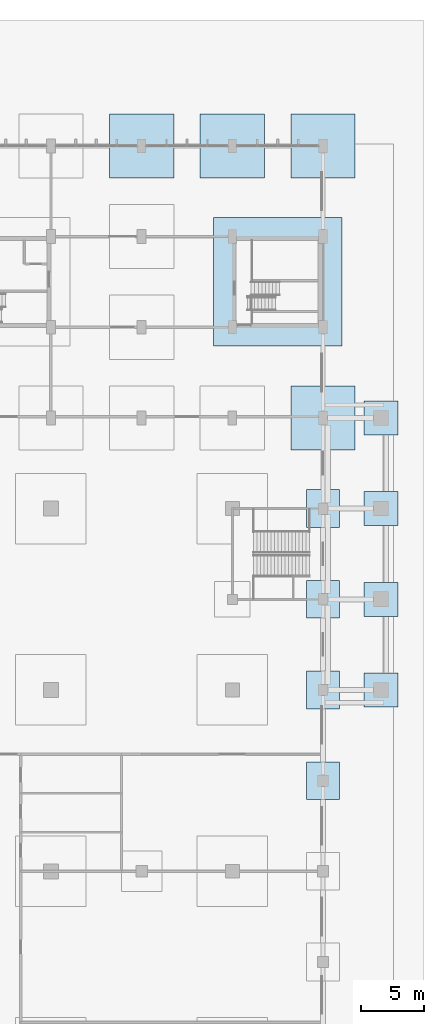
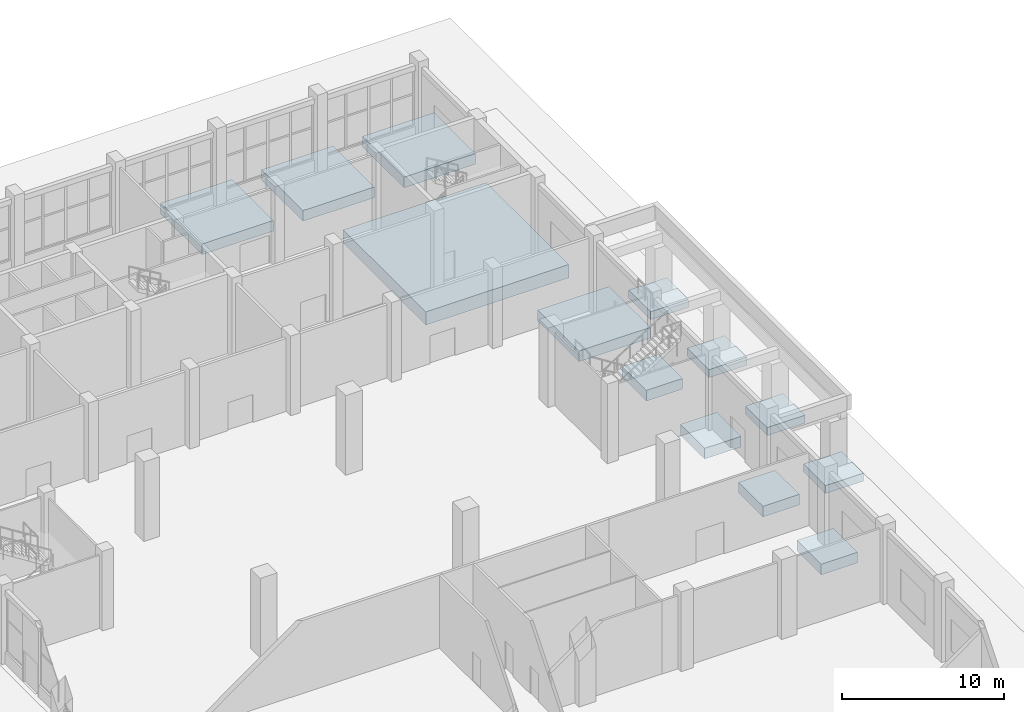
# One storey, part 3 of 70: 13 footings.
"""IFC4 building model written with IfcOpenShell, lengths in metres."""

from ifc_helpers import new_model, si_unit, direction, frame, origin, origin_2d, place, context, subcontext, project, spatial, polyline, rectangle, outline, extrude, material, layer, layer_set, type_object, element, save


model = new_model("IFC4")

# Units and contexts
model_context = context("Model", 3, precision=1e-05, world=origin(), true_north=direction((0.0, 1.0)))
body_context = subcontext(model_context, "Body", "Model", "MODEL_VIEW")
ifc_project = project(units=[si_unit("LENGTHUNIT", "METRE"), si_unit("AREAUNIT", "SQUARE_METRE"), si_unit("VOLUMEUNIT", "CUBIC_METRE"), si_unit("PLANEANGLEUNIT", "RADIAN"), si_unit("MASSUNIT", "GRAM", prefix="KILO")], contexts=[model_context])

# Site, building, storey
site_placement = place(None, origin())
site = spatial("IfcSite", under=ifc_project, at=site_placement, CompositionType="ELEMENT")
building_placement = place(site_placement, origin())
building = spatial("IfcBuilding", under=site, at=building_placement, Name="Vermilion Court Aquatics Centre", CompositionType="ELEMENT")
storey_placement = place(building_placement, origin())
storey = spatial("IfcBuildingStorey", under=building, at=storey_placement, Name="L00", CompositionType="ELEMENT", Elevation=0.0)

# Footings
ifc_material_1 = material(Name="Concrete 5000 psi", Category="concrete")
ifc_layer_1 = layer(ifc_material_1, 0.800048828125)
ifc_layer_set_1 = layer_set([ifc_layer_1], Name="North block column pad footing 5100x5100x800")
footing_type_1 = type_object("IfcFootingType", Name="North block column pad footing 5100x5100x800", PredefinedType="PAD_FOOTING", material=ifc_layer_set_1)
footing_1_placement = place(storey_placement, frame((0.0, 0.0, -1.5)))
element("IfcFooting", 1, at=footing_1_placement, inside=storey, type_object=footing_type_1, Name="Column pad 26S", PredefinedType="PAD_FOOTING", context=body_context, shape_type="SweptSolid", body=[
    extrude(outline(polyline([(177.449951171875, 112.64990234375), (182.550048828125, 112.64990234375), (182.550048828125, 117.75), (177.449951171875, 117.75), (177.449951171875, 112.64990234375)])), origin(), (0.0, 0.0, 1.0), 0.800048828125),
])
footing_2_placement = place(storey_placement, frame((0.0, 0.0, -1.5)))
element("IfcFooting", 2, at=footing_2_placement, inside=storey, type_object=footing_type_1, Name="Column pad 27S", PredefinedType="PAD_FOOTING", context=body_context, shape_type="SweptSolid", body=[
    extrude(outline(polyline([(184.64990234375, 112.64990234375), (189.75, 112.64990234375), (189.75, 117.75), (184.64990234375, 117.75), (184.64990234375, 112.64990234375)])), origin(), (0.0, 0.0, 1.0), 0.800048828125),
])
footing_3_placement = place(storey_placement, frame((0.0, 0.0, -1.5)))
element("IfcFooting", 3, at=footing_3_placement, inside=storey, type_object=footing_type_1, Name="Column pad 28P", PredefinedType="PAD_FOOTING", context=body_context, shape_type="SweptSolid", body=[
    extrude(outline(polyline([(191.85009765625, 91.050048828125), (196.949951171875, 91.050048828125), (196.949951171875, 96.14990234375), (191.85009765625, 96.14990234375), (191.85009765625, 91.050048828125)])), origin(), (0.0, 0.0, 1.0), 0.800048828125),
])
footing_4_placement = place(storey_placement, frame((0.0, 0.0, -1.5)))
element("IfcFooting", 4, at=footing_4_placement, inside=storey, type_object=footing_type_1, Name="Column pad 28S", PredefinedType="PAD_FOOTING", context=body_context, shape_type="SweptSolid", body=[
    extrude(outline(polyline([(191.85009765625, 112.64990234375), (196.949951171875, 112.64990234375), (196.949951171875, 117.75), (191.85009765625, 117.75), (191.85009765625, 112.64990234375)])), origin(), (0.0, 0.0, 1.0), 0.800048828125),
])
ifc_material_2 = material(Name="Concrete 5000 psi", Category="concrete")
ifc_layer_2 = layer(ifc_material_2, 1.0)
ifc_layer_set_2 = layer_set([ifc_layer_2], Name="North block stair raft 10200x10200x1000")
footing_type_2 = type_object("IfcFootingType", Name="North block stair raft 10200x10200x1000", PredefinedType="PAD_FOOTING", material=ifc_layer_set_2)
footing_5_placement = place(storey_placement, frame((0.0, 0.0, -1.60009765625)))
element("IfcFooting", 5, at=footing_5_placement, inside=storey, type_object=footing_type_2, Name="Stair 2 raft", PredefinedType="PAD_FOOTING", context=body_context, shape_type="SweptSolid", body=[
    extrude(outline(polyline([(185.699951171875, 99.300048828125), (195.89990234375, 99.300048828125), (195.89990234375, 109.5), (185.699951171875, 109.5), (185.699951171875, 99.300048828125)])), origin(), (0.0, 0.0, 1.0), 1.0),
])
ifc_material_3 = material(Name="Concrete 5000 psi", Category="concrete")
ifc_layer_3 = layer(ifc_material_3, 0.800048828125)
ifc_layer_set_3 = layer_set([ifc_layer_3], Name="Podium pad footing 2600x3000x800")
footing_type_3 = type_object("IfcFootingType", Name="Podium pad footing 2600x3000x800", PredefinedType="PAD_FOOTING", material=ifc_layer_set_3)
for number, where, z_axis, x_axis, name in (
    (6, (194.39990234375, 64.800048828125, -1.18017578125), (0.0, 0.0, 1.0), (1.0, 0.0, 0.0), "Pad footing 28/K"),
    (7, (194.39990234375, 72.0, -1.18017578125), (0.0, 0.0, 1.0), (1.0, 0.0, 0.0), "Pad footing 28/L"),
    (8, (194.39990234375, 79.199951171875, -1.18017578125), (0.0, 0.0, 1.0), (1.0, 0.0, 0.0), "Pad footing 28/M"),
    (9, (194.39990234375, 86.39990234375, -1.18017578125), (0.0, 0.0, 1.0), (1.0, 0.0, 0.0), "Pad footing 28/N"),
):
    element("IfcFooting", number, at=place(storey_placement, frame(where, z_axis=z_axis, x_axis=x_axis)), inside=storey, type_object=footing_type_3, Name=name, PredefinedType="PAD_FOOTING", context=body_context, shape_type="SweptSolid", body=[
        extrude(rectangle(XDim=2.60009765625, YDim=3.0, at=origin_2d()), origin(), (0.0, 0.0, 1.0), 0.800048828125),
    ])
ifc_material_4 = material(Name="Concrete 5000 psi", Category="concrete")
ifc_layer_4 = layer(ifc_material_4, 0.60009765625)
ifc_layer_set_4 = layer_set([ifc_layer_4], Name="Podium portico pier pad footing 2700x2700x600")
footing_type_4 = type_object("IfcFootingType", Name="Podium portico pier pad footing 2700x2700x600", PredefinedType="PAD_FOOTING", material=ifc_layer_set_4)
for number, where, z_axis, x_axis, name in (
    (10, (199.0, 72.0, -1.10009765625), (0.0, 0.0, 1.0), (1.0, 0.0, 0.0), "Portico pier pad footing"),
    (11, (199.0, 79.199951171875, -1.10009765625), (0.0, 0.0, 1.0), (1.0, 0.0, 0.0), "Portico pier pad footing"),
    (12, (199.0, 86.39990234375, -1.10009765625), (0.0, 0.0, 1.0), (1.0, 0.0, 0.0), "Portico pier pad footing"),
    (13, (199.0, 93.60009765625, -1.10009765625), (0.0, 0.0, 1.0), (1.0, 0.0, 0.0), "Portico pier pad footing"),
):
    element("IfcFooting", number, at=place(storey_placement, frame(where, z_axis=z_axis, x_axis=x_axis)), inside=storey, type_object=footing_type_4, Name=name, PredefinedType="PAD_FOOTING", context=body_context, shape_type="SweptSolid", body=[
        extrude(rectangle(XDim=2.699951171875, YDim=2.699951171875, at=origin_2d()), origin(), (0.0, 0.0, 1.0), 0.60009765625),
    ])

save(model, "model.ifc")
